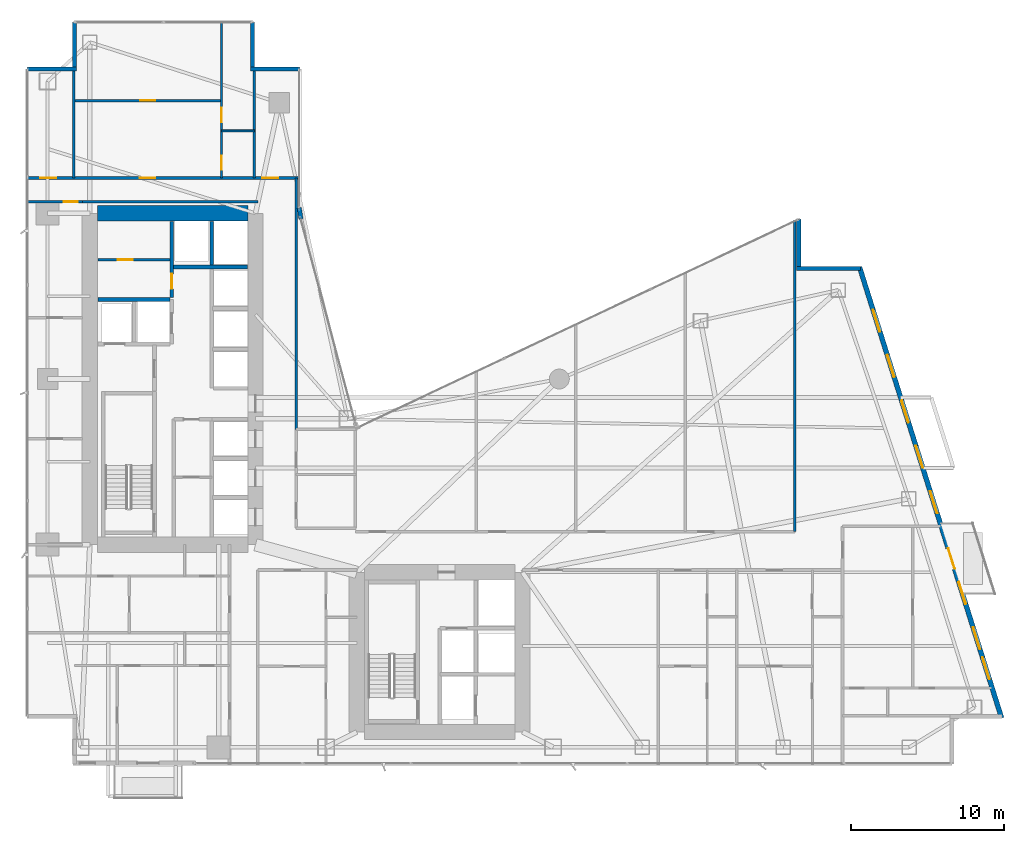
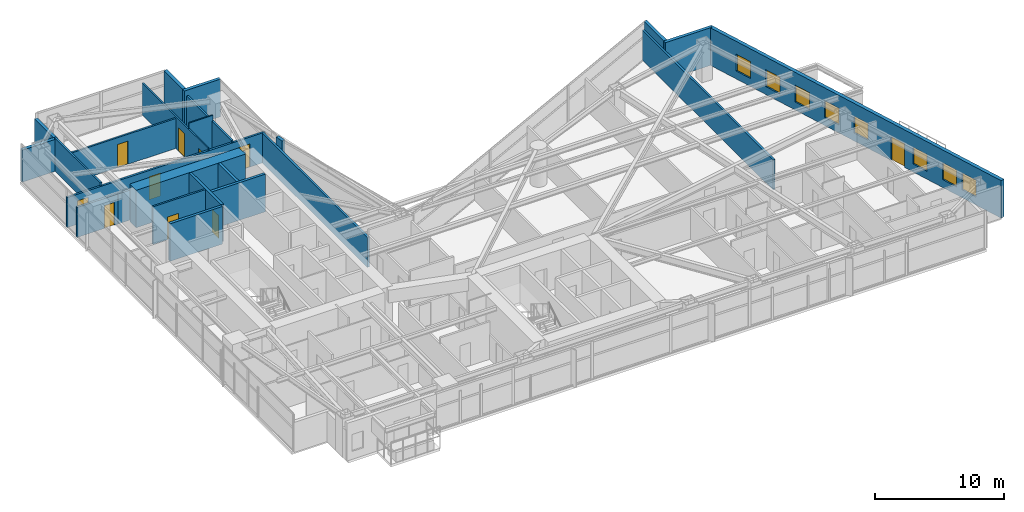
# One storey, part 25 of 29: 24 walls, 10 doors, 8 windows, 18 openings.
"""IFC4 building model written with IfcOpenShell, lengths in metres."""

import ifcopenshell
import ifcopenshell.guid

model = None  # the IFC model being written
_history = None  # IfcOwnerHistory: only IFC2X3 demands one
_inside = {}  # id of a spatial element -> (the spatial element, [elements in it])
_under = {}  # id of a project, library or spatial element -> (it, [spatial elements below it])
_declared = {}  # id of a project -> (the project, [libraries it declares])
_typed = {}  # id of a type object -> (the type object, [elements of that type])
_made_of = {}  # id of a material, layer set ... -> (it, [elements and type objects made of it])


def new_model(schema):
    """Start an empty IFC model of exactly this schema.

    Asked for "IFC4X3", IfcOpenShell would pick the latest addendum, in which some entities
    have other attributes; the version numbers below select the first issue.
    IFC2X3 requires an IfcOwnerHistory on every rooted entity: one is made here for all.
    """
    global model, _history
    if schema == "IFC4X3":
        model = ifcopenshell.file(schema_version=(4, 3, 0, 0))
    else:
        model = ifcopenshell.file(schema=schema)
    _inside.clear()
    _under.clear()
    _declared.clear()
    _typed.clear()
    _made_of.clear()
    _history = None
    if model.schema == "IFC2X3":
        org = make("IfcOrganization", Name="unknown")
        user = make(
            "IfcPersonAndOrganization",
            ThePerson=make("IfcPerson", FamilyName="unknown"),
            TheOrganization=org,
        )
        app = make(
            "IfcApplication",
            ApplicationDeveloper=org,
            Version="unknown",
            ApplicationFullName="unknown",
            ApplicationIdentifier="unknown",
        )
        _history = make(
            "IfcOwnerHistory",
            OwningUser=user,
            OwningApplication=app,
            ChangeAction="ADDED",
            CreationDate=0,
        )
    return model


def make(cls, **values):
    """One entity of the class cls with the attributes given. An attribute that is None is left unset."""
    return model.create_entity(
        cls, **{name: value for name, value in values.items() if value is not None}
    )


def rooted(cls, **values):
    """An entity with a GlobalId (a new one), such as an element, a storey or a relation."""
    return make(cls, GlobalId=ifcopenshell.guid.new(), OwnerHistory=_history, **values)


def si_unit(unit_type, name, prefix=None):
    """IfcSIUnit, for example si_unit("LENGTHUNIT", "METRE", prefix="MILLI")."""
    return make("IfcSIUnit", UnitType=unit_type, Prefix=prefix, Name=name)


def assignment(units):
    """IfcUnitAssignment: the units of a project."""
    return None if units is None else make("IfcUnitAssignment", Units=units)


def point(xyz):
    """IfcCartesianPoint."""
    return None if xyz is None else make("IfcCartesianPoint", Coordinates=xyz)


def direction(xyz):
    """IfcDirection."""
    return None if xyz is None else make("IfcDirection", DirectionRatios=xyz)


def frame(location, z_axis=None, x_axis=None):
    """IfcAxis2Placement3D, a coordinate frame: its origin and axes. An axis left out is left unset."""
    return make(
        "IfcAxis2Placement3D",
        Location=point(location),
        Axis=direction(z_axis),
        RefDirection=direction(x_axis),
    )


def frame_2d(location, x_axis=None):
    """IfcAxis2Placement2D, a coordinate frame in the plane: its origin and x axis."""
    return make(
        "IfcAxis2Placement2D", Location=point(location), RefDirection=direction(x_axis)
    )


def origin():
    """The frame at (0, 0, 0) with its axes left unset."""
    return frame((0.0, 0.0, 0.0))


def place(relative_to, where):
    """IfcLocalPlacement: puts the frame where relative to a parent placement (None: the world)."""
    return make(
        "IfcLocalPlacement", PlacementRelTo=relative_to, RelativePlacement=where
    )


def context(
    kind, dimensions, precision=None, world=None, true_north=None, identifier=None
):
    """IfcGeometricRepresentationContext, for example the 3D "Model" context."""
    return make(
        "IfcGeometricRepresentationContext",
        ContextIdentifier=identifier,
        ContextType=kind,
        CoordinateSpaceDimension=dimensions,
        Precision=precision,
        WorldCoordinateSystem=world,
        TrueNorth=true_north,
    )


def subcontext(parent, identifier, kind, view, scale=None):
    """IfcGeometricRepresentationSubContext, for example "Body" below "Model"."""
    return make(
        "IfcGeometricRepresentationSubContext",
        ContextIdentifier=identifier,
        ContextType=kind,
        ParentContext=parent,
        TargetScale=scale,
        TargetView=view,
    )


def project(units=None, contexts=None):
    """IfcProject with its units and contexts."""
    return rooted(
        "IfcProject",
        Name="project",
        RepresentationContexts=contexts,
        UnitsInContext=assignment(units),
    )


def spatial(cls, under=None, at=None, **own):
    """A site, building, storey or space (cls), placed at a placement, below another one or the project."""
    s = rooted(cls, ObjectPlacement=at, **own)
    if under is not None:
        _under.setdefault(under.id(), (under, []))[1].append(s)
    return s


def profile(cls, at=None, kind="AREA", **sizes):
    """A parametric profile (cls). Its sizes go by their IFC names, for example OverallWidth=200.0."""
    return make(cls, ProfileType=kind, Position=at, **sizes)


def rectangle(**sizes):
    """IfcRectangleProfileDef."""
    return profile("IfcRectangleProfileDef", **sizes)


def extrude(swept, where, along, depth):
    """IfcExtrudedAreaSolid: the profile swept, set in the frame where, extruded along a direction by depth."""
    return make(
        "IfcExtrudedAreaSolid",
        SweptArea=swept,
        Position=where,
        ExtrudedDirection=direction(along),
        Depth=depth,
    )


def shape(context_of_items, identifier, shape_type, items):
    """IfcShapeRepresentation: the items that make up one representation, for example the "Body"."""
    return make(
        "IfcShapeRepresentation",
        ContextOfItems=context_of_items,
        RepresentationIdentifier=identifier,
        RepresentationType=shape_type,
        Items=items,
    )


def material(Name=None, Category=None):
    """IfcMaterial."""
    return make("IfcMaterial", Name=Name, Category=Category)


def layer(
    of_material, thickness, ventilated=None, Name=None, Category=None, Priority=None
):
    """IfcMaterialLayer: one layer of a wall or slab, of a material (None: an air gap)."""
    return make(
        "IfcMaterialLayer",
        Material=of_material,
        LayerThickness=thickness,
        IsVentilated=ventilated,
        Name=Name,
        Category=Category,
        Priority=Priority,
    )


def layer_set(layers, Name=None):
    """IfcMaterialLayerSet."""
    return make("IfcMaterialLayerSet", MaterialLayers=layers, LayerSetName=Name)


def made_of(thing, what):
    """Note that an element or type object is made of a material, layer set ...; save() writes the relation."""
    if what is not None:
        _made_of.setdefault(what.id(), (what, []))[1].append(thing)
    return thing


def type_object(cls, material=None, **own):
    """A type object (cls), such as IfcWallType, which elements share."""
    return made_of(rooted(cls, **own), material)


def element(
    cls,
    number,
    at=None,
    inside=None,
    cuts=None,
    type_object=None,
    material=None,
    context=None,
    identifier="Body",
    shape_type=None,
    held_by="IfcProductDefinitionShape",
    body=None,
    shapes=None,
    **own,
):
    """One element of the class cls, such as IfcWall. Its Tag is "e" and its number.

    at: its placement. inside: the storey or other place that contains it. cuts: it is an
    opening in that element (IfcRelVoidsElement). A single representation is given by context,
    identifier, shape_type and body (its items); several are given by shapes. held_by: the class
    of the entity that holds the representations. save() writes the other relations.
    """
    e = rooted(cls, Tag="e%d" % number, ObjectPlacement=at, **own)
    if body is not None:
        shapes = [shape(context, identifier, shape_type, body)]
    if shapes is not None:
        e.Representation = make(held_by, Representations=shapes)
    if inside is not None:
        _inside.setdefault(inside.id(), (inside, []))[1].append(e)
    if cuts is not None:
        rooted(
            "IfcRelVoidsElement", RelatingBuildingElement=cuts, RelatedOpeningElement=e
        )
    if type_object is not None:
        _typed.setdefault(type_object.id(), (type_object, []))[1].append(e)
    return made_of(e, material)


def fill(opening, filler):
    """IfcRelFillsElement: the door or window that sits in an opening."""
    return rooted(
        "IfcRelFillsElement",
        RelatingOpeningElement=opening,
        RelatedBuildingElement=filler,
    )


def aggregate(whole, parts):
    """IfcRelAggregates: a whole, such as a stair, and the parts it consists of."""
    return rooted("IfcRelAggregates", RelatingObject=whole, RelatedObjects=parts)


def save(model, path):
    """Write the relations noted so far, then the file.

    IfcRelAggregates (storeys below a building ...), IfcRelContainedInSpatialStructure (elements
    in a storey), IfcRelDefinesByType, IfcRelAssociatesMaterial and IfcRelDeclares: one each for
    every whole, place, type object, material and project.
    """
    for whole, parts in _under.values():
        aggregate(whole, parts)
    for where, things in _inside.values():
        rooted(
            "IfcRelContainedInSpatialStructure",
            RelatedElements=things,
            RelatingStructure=where,
        )
    for kind, things in _typed.values():
        rooted("IfcRelDefinesByType", RelatedObjects=things, RelatingType=kind)
    for what, things in _made_of.values():
        rooted("IfcRelAssociatesMaterial", RelatedObjects=things, RelatingMaterial=what)
    for by, libraries in _declared.values():
        rooted("IfcRelDeclares", RelatingContext=by, RelatedDefinitions=libraries)
    model.write(path)


model = new_model("IFC4")

# Units and contexts
model_context = context("Model", 3, precision=1e-05, world=origin(), true_north=direction((0.0, 1.0)))
body_context = subcontext(model_context, "Body", "Model", "MODEL_VIEW")
ifc_project = project(units=[si_unit("LENGTHUNIT", "METRE"), si_unit("AREAUNIT", "SQUARE_METRE"), si_unit("VOLUMEUNIT", "CUBIC_METRE"), si_unit("PLANEANGLEUNIT", "RADIAN"), si_unit("MASSUNIT", "GRAM", prefix="KILO")], contexts=[model_context])

# Site, building, storey
site_placement = place(None, origin())
site = spatial("IfcSite", under=ifc_project, at=site_placement, CompositionType="ELEMENT")
building_placement = place(site_placement, origin())
building = spatial("IfcBuilding", under=site, at=building_placement, Name="Calvorn Quay Hotel", CompositionType="ELEMENT")
storey_placement = place(building_placement, frame((0.0, 0.0, 85.0)))
storey = spatial("IfcBuildingStorey", under=building, at=storey_placement, Name="L20", CompositionType="ELEMENT", Elevation=85.0)

# Wall
ifc_material_1 = material(Name="Concrete C60", Category="concrete")
ifc_layer_1 = layer(ifc_material_1, 1.0)
ifc_layer_set_1 = layer_set([ifc_layer_1], Name="WL-CORE-1000")
wall_type_1 = type_object("IfcWallType", Name="WL-CORE-1000", PredefinedType="SHEAR", material=ifc_layer_set_1)
wall_1_placement = place(storey_placement, frame((4.699951171875, 38.39990234375, 0.0), z_axis=(0.0, 0.0, 1.0), x_axis=(1.0, 0.0, 0.0)))
element("IfcWall", 1, at=wall_1_placement, inside=storey, type_object=wall_type_1, Name="West Core Shear Wall N (L20)", PredefinedType="SHEAR", context=body_context, shape_type="SweptSolid", body=[
    extrude(rectangle(XDim=9.800048828125, YDim=1.0, at=frame_2d((4.89990234375, 0.0))), origin(), (0.0, 0.0, 1.0), 3.56005859375),
])

# Wall, opening, door
ifc_material_2 = material(Name="Acoustic Fireboard Steel-Stud Partition", Category="steel")
ifc_layer_2 = layer(ifc_material_2, 0.179931640625)
ifc_layer_set_2 = layer_set([ifc_layer_2], Name="WL-CORR-FIRE-180")
wall_type_2 = type_object("IfcWallType", Name="WL-CORR-FIRE-180", PredefinedType="PARTITIONING", material=ifc_layer_set_2)
wall_2_placement = place(storey_placement, frame((0.080078125, 39.14990234375, 0.0), z_axis=(0.0, 0.0, 1.0), x_axis=(1.0, 0.0, 0.0)))
wall_2 = element("IfcWall", 2, at=wall_2_placement, inside=storey, type_object=wall_type_2, Name="Partition Wall L20-WL-WBAY-N-DOOR", PredefinedType="PARTITIONING", context=body_context, shape_type="SweptSolid", body=[
    extrude(rectangle(XDim=3.64990234375, YDim=0.179931640625, at=frame_2d((1.824951171875, 0.0))), origin(), (0.0, 0.0, 1.0), 2.840087890625),
])
opening_1_placement = place(wall_2_placement, frame((2.429931640625, 0.0, 0.0)))
opening_1 = element("IfcOpeningElement", 3, at=opening_1_placement, cuts=wall_2, Name="Opening D-L20-WBN", PredefinedType="OPENING", context=body_context, shape_type="SweptSolid", body=[
    extrude(rectangle(XDim=0.89990234375, YDim=2.14990234375, at=frame_2d((0.449951171875, 1.074951171875))), frame((0.0, 0.099853515625, 0.0), z_axis=(0.0, -1.0, 0.0), x_axis=(1.0, 0.0, 0.0)), (0.0, 0.0, 1.0), 0.199951171875),
])
ifc_material_3 = material(Name="Moisture-Sealed Timber En-Suite Door", Category="wood")
door_type_1 = type_object("IfcDoorType", Name="DR-ENSUITE-900", OperationType="NOTDEFINED", PredefinedType="DOOR", material=ifc_material_3)
door_1_placement = place(opening_1_placement, origin())
door_1 = element("IfcDoor", 4, at=door_1_placement, inside=storey, type_object=door_type_1, Name="West North Bay Door (L20)", OperationType="SINGLE_SWING_LEFT", OverallHeight=2.14990234375, OverallWidth=0.89990234375, PredefinedType="DOOR", context=body_context, shape_type="SweptSolid", body=[
    extrude(rectangle(XDim=0.89990234375, YDim=2.14990234375, at=frame_2d((0.449951171875, 1.074951171875))), frame((0.0, 0.02490234375, 0.0), z_axis=(0.0, -1.0, 0.0), x_axis=(1.0, 0.0, 0.0)), (0.0, 0.0, 1.0), 0.050048828125),
])
fill(opening_1, door_1)

# Wall, openings, doors
wall_3_placement = place(storey_placement, frame((0.080078125, 40.699951171875, 0.0), z_axis=(0.0, 0.0, 1.0), x_axis=(1.0, 0.0, 0.0)))
wall_3 = element("IfcWall", 5, at=wall_3_placement, inside=storey, type_object=wall_type_2, Name="Partition Wall L20-WL-CORR-NW-N", PredefinedType="PARTITIONING", context=body_context, shape_type="SweptSolid", body=[
    extrude(rectangle(XDim=17.77001953125, YDim=0.179931640625, at=frame_2d((8.885009765625, 0.0))), origin(), (0.0, 0.0, 1.0), 2.840087890625),
])
opening_2_placement = place(wall_3_placement, frame((0.89990234375, 0.0, 0.0)))
opening_2 = element("IfcOpeningElement", 6, at=opening_2_placement, cuts=wall_3, Name="Opening D-L20-NWW", PredefinedType="OPENING", context=body_context, shape_type="SweptSolid", body=[
    extrude(rectangle(XDim=1.02001953125, YDim=2.199951171875, at=frame_2d((0.510009765625, 1.10009765625))), frame((0.0, 0.099853515625, 0.0), z_axis=(0.0, -1.0, 0.0), x_axis=(1.0, 0.0, 0.0)), (0.0, 0.0, 1.0), 0.199951171875),
])
opening_3_placement = place(wall_3_placement, frame((7.3798828125, 0.0, 0.0)))
opening_3 = element("IfcOpeningElement", 7, at=opening_3_placement, cuts=wall_3, Name="Opening D-L20-U04", PredefinedType="OPENING", context=body_context, shape_type="SweptSolid", body=[
    extrude(rectangle(XDim=1.02001953125, YDim=2.199951171875, at=frame_2d((0.510009765625, 1.10009765625))), frame((0.0, 0.099853515625, 0.0), z_axis=(0.0, -1.0, 0.0), x_axis=(1.0, 0.0, 0.0)), (0.0, 0.0, 1.0), 0.199951171875),
])
opening_4_placement = place(wall_3_placement, frame((15.3701171875, 0.0, 0.0)))
opening_4 = element("IfcOpeningElement", 8, at=opening_4_placement, cuts=wall_3, Name="Opening D-L20-NWE", PredefinedType="OPENING", context=body_context, shape_type="SweptSolid", body=[
    extrude(rectangle(XDim=1.02001953125, YDim=2.199951171875, at=frame_2d((0.510009765625, 1.10009765625))), frame((0.0, 0.099853515625, 0.0), z_axis=(0.0, -1.0, 0.0), x_axis=(1.0, 0.0, 0.0)), (0.0, 0.0, 1.0), 0.199951171875),
])
ifc_material_4 = material(Name="Solid-Core Walnut Veneer Hotel Fire Door")
door_type_2 = type_object("IfcDoorType", Name="DR-GUEST-ENTRY-1020", OperationType="NOTDEFINED", PredefinedType="DOOR", material=ifc_material_4)
door_2_placement = place(opening_2_placement, origin())
door_2 = element("IfcDoor", 9, at=door_2_placement, inside=storey, type_object=door_type_2, Name="West Corner Study Door (L20)", OperationType="SINGLE_SWING_LEFT", OverallHeight=2.199951171875, OverallWidth=1.02001953125, PredefinedType="DOOR", context=body_context, shape_type="SweptSolid", body=[
    extrude(rectangle(XDim=1.02001953125, YDim=2.199951171875, at=frame_2d((0.510009765625, 1.10009765625))), frame((0.0, 0.02490234375, 0.0), z_axis=(0.0, -1.0, 0.0), x_axis=(1.0, 0.0, 0.0)), (0.0, 0.0, 1.0), 0.050048828125),
])
fill(opening_2, door_2)
door_3_placement = place(opening_3_placement, origin())
door_3 = element("IfcDoor", 10, at=door_3_placement, inside=storey, type_object=door_type_2, Name="North-West Unit Door U04 (L20)", OperationType="SINGLE_SWING_RIGHT", OverallHeight=2.199951171875, OverallWidth=1.02001953125, PredefinedType="DOOR", context=body_context, shape_type="SweptSolid", body=[
    extrude(rectangle(XDim=1.02001953125, YDim=2.199951171875, at=frame_2d((0.510009765625, 1.10009765625))), frame((0.0, 0.02490234375, 0.0), z_axis=(0.0, -1.0, 0.0), x_axis=(1.0, 0.0, 0.0)), (0.0, 0.0, 1.0), 0.050048828125),
])
fill(opening_3, door_3)
door_4_placement = place(opening_4_placement, origin())
door_4 = element("IfcDoor", 11, at=door_4_placement, inside=storey, type_object=door_type_2, Name="Inner Court Study Door (L20)", OperationType="SINGLE_SWING_RIGHT", OverallHeight=2.199951171875, OverallWidth=1.02001953125, PredefinedType="DOOR", context=body_context, shape_type="SweptSolid", body=[
    extrude(rectangle(XDim=1.02001953125, YDim=2.199951171875, at=frame_2d((0.510009765625, 1.10009765625))), frame((0.0, 0.02490234375, 0.0), z_axis=(0.0, -1.0, 0.0), x_axis=(1.0, 0.0, 0.0)), (0.0, 0.0, 1.0), 0.050048828125),
])
fill(opening_4, door_4)

# Walls
wall_4_placement = place(storey_placement, frame((17.64990234375, 24.300048828125, 0.0), z_axis=(0.0, 0.0, 1.0), x_axis=(0.0, 1.0, 0.0)))
element("IfcWall", 12, at=wall_4_placement, inside=storey, type_object=wall_type_2, Name="Partition Wall L20-WL-NW-CLOSURE-E", PredefinedType="PARTITIONING", context=body_context, shape_type="SweptSolid", body=[
    extrude(rectangle(XDim=16.39990234375, YDim=0.179931640625, at=frame_2d((8.199951171875, 0.0))), origin(), (0.0, 0.0, 1.0), 2.840087890625),
])
wall_5_placement = place(storey_placement, frame((3.679931640625, 39.14990234375, 0.0), z_axis=(0.0, 0.0, 1.0), x_axis=(1.0, 0.0, 0.0)))
element("IfcWall", 13, at=wall_5_placement, inside=storey, type_object=wall_type_2, Name="Partition Wall L20-WL-W-SPUR-S", PredefinedType="PARTITIONING", context=body_context, shape_type="SweptSolid", body=[
    extrude(rectangle(XDim=11.469970703125, YDim=0.179931640625, at=frame_2d((5.73486328125, 0.0))), origin(), (0.0, 0.0, 1.0), 2.840087890625),
])
wall_6_placement = place(storey_placement, frame((50.14990234375, 17.64990234375, 0.0), z_axis=(0.0, 0.0, 1.0), x_axis=(0.0, 1.0, 0.0)))
element("IfcWall", 14, at=wall_6_placement, inside=storey, type_object=wall_type_2, Name="Partition Wall L20-WL-NE-END-E", PredefinedType="PARTITIONING", context=body_context, shape_type="SweptSolid", body=[
    extrude(rectangle(XDim=20.31005859375, YDim=0.179931640625, at=frame_2d((10.155029296875, 0.0))), origin(), (0.0, 0.0, 1.0), 2.840087890625),
])
ifc_material_5 = material(Name="Moisture-Resistant Tile-Backed Partition")
ifc_layer_3 = layer(ifc_material_5, 0.125)
ifc_layer_set_3 = layer_set([ifc_layer_3], Name="WL-ENSUITE-125")
wall_type_3 = type_object("IfcWallType", Name="WL-ENSUITE-125", PredefinedType="PARTITIONING", material=ifc_layer_set_3)
wall_7_placement = place(storey_placement, frame((12.7900390625, 43.77001953125, 0.0), z_axis=(0.0, 0.0, 1.0), x_axis=(1.0, 0.0, 0.0)))
element("IfcWall", 15, at=wall_7_placement, inside=storey, type_object=wall_type_3, Name="Partition Wall L20-WL-U04-BDV", PredefinedType="PARTITIONING", context=body_context, shape_type="SweptSolid", body=[
    extrude(rectangle(XDim=2.1298828125, YDim=0.125, at=frame_2d((1.06494140625, 0.0))), origin(), (0.0, 0.0, 1.0), 3.56005859375),
])

# Wall, openings, doors
wall_8_placement = place(storey_placement, frame((12.7900390625, 40.699951171875, 0.0), z_axis=(0.0, 0.0, 1.0), x_axis=(0.0, 1.0, 0.0)))
wall_8 = element("IfcWall", 16, at=wall_8_placement, inside=storey, type_object=wall_type_3, Name="Partition Wall L20-WL-U04-BV", PredefinedType="PARTITIONING", context=body_context, shape_type="SweptSolid", body=[
    extrude(rectangle(XDim=10.239990234375, YDim=0.125, at=frame_2d((5.1201171875, 0.0))), origin(), (0.0, 0.0, 1.0), 3.0400390625),
])
opening_5_placement = place(wall_8_placement, frame((0.550048828125, 0.0, 0.0)))
opening_5 = element("IfcOpeningElement", 17, at=opening_5_placement, cuts=wall_8, Name="Opening D-L20-E04", PredefinedType="OPENING", context=body_context, shape_type="SweptSolid", body=[
    extrude(rectangle(XDim=0.89990234375, YDim=2.14990234375, at=frame_2d((0.449951171875, 1.074951171875))), frame((0.0, 0.072509765625, 0.0), z_axis=(0.0, -1.0, 0.0), x_axis=(1.0, 0.0, 0.0)), (0.0, 0.0, 1.0), 0.14501953125),
])
opening_6_placement = place(wall_8_placement, frame((3.6201171875, 0.0, 0.0)))
opening_6 = element("IfcOpeningElement", 18, at=opening_6_placement, cuts=wall_8, Name="Opening D-L20-S04", PredefinedType="OPENING", context=body_context, shape_type="SweptSolid", body=[
    extrude(rectangle(XDim=0.9599609375, YDim=2.199951171875, at=frame_2d((0.47998046875, 1.10009765625))), frame((0.0, 0.072509765625, 0.0), z_axis=(0.0, -1.0, 0.0), x_axis=(1.0, 0.0, 0.0)), (0.0, 0.0, 1.0), 0.14501953125),
])
door_5_placement = place(opening_5_placement, origin())
door_5 = element("IfcDoor", 19, at=door_5_placement, inside=storey, type_object=door_type_1, Name="En-Suite Door 04", OperationType="SINGLE_SWING_LEFT", OverallHeight=2.14990234375, OverallWidth=0.89990234375, PredefinedType="DOOR", context=body_context, shape_type="SweptSolid", body=[
    extrude(rectangle(XDim=0.89990234375, YDim=2.14990234375, at=frame_2d((0.449951171875, 1.074951171875))), frame((0.0, 0.02490234375, 0.0), z_axis=(0.0, -1.0, 0.0), x_axis=(1.0, 0.0, 0.0)), (0.0, 0.0, 1.0), 0.050048828125),
])
fill(opening_5, door_5)
ifc_material_6 = material(Name="Solid Timber Internal Suite Door", Category="wood")
door_type_3 = type_object("IfcDoorType", Name="DR-SUITE-INT-960", OperationType="NOTDEFINED", PredefinedType="DOOR", material=ifc_material_6)
door_6_placement = place(opening_6_placement, origin())
door_6 = element("IfcDoor", 20, at=door_6_placement, inside=storey, type_object=door_type_3, Name="Private Media Cinema Door 04", OperationType="SINGLE_SWING_RIGHT", OverallHeight=2.199951171875, OverallWidth=0.9599609375, PredefinedType="DOOR", context=body_context, shape_type="SweptSolid", body=[
    extrude(rectangle(XDim=0.9599609375, YDim=2.199951171875, at=frame_2d((0.47998046875, 1.10009765625))), frame((0.0, 0.02490234375, 0.0), z_axis=(0.0, -1.0, 0.0), x_axis=(1.0, 0.0, 0.0)), (0.0, 0.0, 1.0), 0.050048828125),
])
fill(opening_6, door_6)

# Walls
ifc_material_7 = material(Name="Concrete C40", Category="concrete")
ifc_layer_4 = layer(ifc_material_7, 0.320068359375)
ifc_layer_set_4 = layer_set([ifc_layer_4], Name="WL-EXT-SPANDREL-320")
wall_type_4 = type_object("IfcWallType", Name="WL-EXT-SPANDREL-320", PredefinedType="SOLIDWALL", material=ifc_layer_set_4)
wall_9_placement = place(storey_placement, frame((17.9619140625, 38.030029296875, 0.0), z_axis=(0.0, 0.0, 1.0), x_axis=(-0.15141125477, 0.988470855377, 0.0)))
element("IfcWall", 21, at=wall_9_placement, inside=storey, type_object=wall_type_4, Name="Inner Court Corner Pier L20-ICJ2", PredefinedType="SOLIDWALL", context=body_context, shape_type="SweptSolid", body=[
    extrude(rectangle(XDim=0.738525390625, YDim=0.280029296875, at=frame_2d((0.369140625, 0.0))), origin(), (0.0, 0.0, 1.0), 3.56005859375),
])
wall_10_placement = place(storey_placement, frame((54.43994140625, 34.800048828125, 0.0), z_axis=(0.0, 0.0, 1.0), x_axis=(-1.0, 0.0, 0.0)))
element("IfcWall", 22, at=wall_10_placement, inside=storey, type_object=wall_type_4, Name="Notched Corner Spandrel L20-NE1", PredefinedType="SOLIDWALL", context=body_context, shape_type="SweptSolid", body=[
    extrude(rectangle(XDim=4.179931640625, YDim=0.280029296875, at=frame_2d((2.08984375, 0.0))), origin(), (0.0, 0.0, 1.0), 3.56005859375),
])
wall_11_placement = place(storey_placement, frame((50.39990234375, 34.93994140625, 0.0), z_axis=(0.0, 0.0, 1.0), x_axis=(0.0, 1.0, 0.0)))
element("IfcWall", 23, at=wall_11_placement, inside=storey, type_object=wall_type_4, Name="Notched Corner Spandrel L20-NE2", PredefinedType="SOLIDWALL", context=body_context, shape_type="SweptSolid", body=[
    extrude(rectangle(XDim=3.10009765625, YDim=0.280029296875, at=frame_2d((1.550048828125, 0.0))), origin(), (0.0, 0.0, 1.0), 3.56005859375),
])
wall_12_placement = place(storey_placement, frame((17.89990234375, 47.800048828125, 0.0), z_axis=(0.0, 0.0, 1.0), x_axis=(-1.0, 0.0, 0.0)))
element("IfcWall", 24, at=wall_12_placement, inside=storey, type_object=wall_type_4, Name="Notched Corner Spandrel L20-NWE1", PredefinedType="SOLIDWALL", context=body_context, shape_type="SweptSolid", body=[
    extrude(rectangle(XDim=3.239990234375, YDim=0.280029296875, at=frame_2d((1.6201171875, 0.0))), origin(), (0.0, 0.0, 1.0), 3.56005859375),
])
wall_13_placement = place(storey_placement, frame((14.800048828125, 47.93994140625, 0.0), z_axis=(0.0, 0.0, 1.0), x_axis=(0.0, 1.0, 0.0)))
element("IfcWall", 25, at=wall_13_placement, inside=storey, type_object=wall_type_4, Name="Notched Corner Spandrel L20-NWE2", PredefinedType="SOLIDWALL", context=body_context, shape_type="SweptSolid", body=[
    extrude(rectangle(XDim=2.93994140625, YDim=0.280029296875, at=frame_2d((1.469970703125, 0.0))), origin(), (0.0, 0.0, 1.0), 3.56005859375),
])
wall_14_placement = place(storey_placement, frame((3.199951171875, 50.8798828125, 0.0), z_axis=(0.0, 0.0, 1.0), x_axis=(0.0, -1.0, 0.0)))
element("IfcWall", 26, at=wall_14_placement, inside=storey, type_object=wall_type_4, Name="Notched Corner Spandrel L20-NW1", PredefinedType="SOLIDWALL", context=body_context, shape_type="SweptSolid", body=[
    extrude(rectangle(XDim=2.93994140625, YDim=0.280029296875, at=frame_2d((1.469970703125, 0.0))), origin(), (0.0, 0.0, 1.0), 3.0400390625),
])
wall_15_placement = place(storey_placement, frame((3.340087890625, 47.800048828125, 0.0), z_axis=(0.0, 0.0, 1.0), x_axis=(-1.0, 0.0, 0.0)))
element("IfcWall", 27, at=wall_15_placement, inside=storey, type_object=wall_type_4, Name="Notched Corner Spandrel L20-NW2", PredefinedType="SOLIDWALL", context=body_context, shape_type="SweptSolid", body=[
    extrude(rectangle(XDim=3.219970703125, YDim=0.280029296875, at=frame_2d((1.60986328125, 0.0))), origin(), (0.0, 0.0, 1.0), 3.0400390625),
])

# Wall, openings, door, windows
wall_16_placement = place(storey_placement, frame((63.6298828125, 5.5048828125, 0.0), z_axis=(0.0, 0.0, 1.0), x_axis=(-0.300501856448, 0.953781229775, 0.0)))
wall_16 = element("IfcWall", 28, at=wall_16_placement, inside=storey, type_object=wall_type_4, Name="East Stepped Waterfront Exterior Wall (L20)", PredefinedType="SOLIDWALL", context=body_context, shape_type="SweptSolid", body=[
    extrude(rectangle(XDim=30.814453125, YDim=0.320068359375, at=frame_2d((15.4072265625, 0.0))), origin(), (0.0, 0.0, 1.0), 3.56005859375),
])
opening_7_placement = place(wall_16_placement, frame((10.198974609375, 0.0, 0.0)))
opening_7 = element("IfcOpeningElement", 29, at=opening_7_placement, cuts=wall_16, Name="Opening DB-L20-1", PredefinedType="OPENING", context=body_context, shape_type="SweptSolid", body=[
    extrude(rectangle(XDim=1.39990234375, YDim=2.25, at=frame_2d((0.699951171875, 1.125))), frame((0.0, 0.169921875, 0.0), z_axis=(0.0, -1.0, 0.0), x_axis=(1.0, 0.0, 0.0)), (0.0, 0.0, 1.0), 0.340087890625),
])
opening_8_placement = place(wall_16_placement, frame((2.64990234375, 0.0, 0.75)))
opening_8 = element("IfcOpeningElement", 30, at=opening_8_placement, cuts=wall_16, Name="Opening WG-L20-E1", PredefinedType="OPENING", context=body_context, shape_type="SweptSolid", body=[
    extrude(rectangle(XDim=1.5, YDim=1.60009765625, at=frame_2d((0.75, 0.800048828125))), frame((0.0, 0.169921875, 0.0), z_axis=(0.0, -1.0, 0.0), x_axis=(1.0, 0.0, 0.0)), (0.0, 0.0, 1.0), 0.340087890625),
])
opening_9_placement = place(wall_16_placement, frame((4.699951171875, 0.0, 0.75)))
opening_9 = element("IfcOpeningElement", 31, at=opening_9_placement, cuts=wall_16, Name="Opening WG-L20-E2", PredefinedType="OPENING", context=body_context, shape_type="SweptSolid", body=[
    extrude(rectangle(XDim=1.5, YDim=1.60009765625, at=frame_2d((0.75, 0.800048828125))), frame((0.0, 0.169921875, 0.0), z_axis=(0.0, -1.0, 0.0), x_axis=(1.0, 0.0, 0.0)), (0.0, 0.0, 1.0), 0.340087890625),
])
opening_10_placement = place(wall_16_placement, frame((7.800048828125, 0.0, 0.75)))
opening_10 = element("IfcOpeningElement", 32, at=opening_10_placement, cuts=wall_16, Name="Opening WG-L20-E3", PredefinedType="OPENING", context=body_context, shape_type="SweptSolid", body=[
    extrude(rectangle(XDim=1.5, YDim=1.60009765625, at=frame_2d((0.75, 0.800048828125))), frame((0.0, 0.169921875, 0.0), z_axis=(0.0, -1.0, 0.0), x_axis=(1.0, 0.0, 0.0)), (0.0, 0.0, 1.0), 0.340087890625),
])
opening_11_placement = place(wall_16_placement, frame((14.0, 0.0, 0.75)))
opening_11 = element("IfcOpeningElement", 33, at=opening_11_placement, cuts=wall_16, Name="Opening WG-L20-E4", PredefinedType="OPENING", context=body_context, shape_type="SweptSolid", body=[
    extrude(rectangle(XDim=1.5, YDim=1.60009765625, at=frame_2d((0.75, 0.800048828125))), frame((0.0, 0.169921875, 0.0), z_axis=(0.0, -1.0, 0.0), x_axis=(1.0, 0.0, 0.0)), (0.0, 0.0, 1.0), 0.340087890625),
])
opening_12_placement = place(wall_16_placement, frame((17.10009765625, 0.0, 0.75)))
opening_12 = element("IfcOpeningElement", 34, at=opening_12_placement, cuts=wall_16, Name="Opening WG-L20-E5", PredefinedType="OPENING", context=body_context, shape_type="SweptSolid", body=[
    extrude(rectangle(XDim=1.5, YDim=1.60009765625, at=frame_2d((0.75, 0.800048828125))), frame((0.0, 0.169921875, 0.0), z_axis=(0.0, -1.0, 0.0), x_axis=(1.0, 0.0, 0.0)), (0.0, 0.0, 1.0), 0.340087890625),
])
opening_13_placement = place(wall_16_placement, frame((20.199951171875, 0.0, 0.75)))
opening_13 = element("IfcOpeningElement", 35, at=opening_13_placement, cuts=wall_16, Name="Opening WG-L20-E6", PredefinedType="OPENING", context=body_context, shape_type="SweptSolid", body=[
    extrude(rectangle(XDim=1.5, YDim=1.60009765625, at=frame_2d((0.75, 0.800048828125))), frame((0.0, 0.169921875, 0.0), z_axis=(0.0, -1.0, 0.0), x_axis=(1.0, 0.0, 0.0)), (0.0, 0.0, 1.0), 0.340087890625),
])
opening_14_placement = place(wall_16_placement, frame((23.300048828125, 0.0, 0.75)))
opening_14 = element("IfcOpeningElement", 36, at=opening_14_placement, cuts=wall_16, Name="Opening WG-L20-E7", PredefinedType="OPENING", context=body_context, shape_type="SweptSolid", body=[
    extrude(rectangle(XDim=1.5, YDim=1.60009765625, at=frame_2d((0.75, 0.800048828125))), frame((0.0, 0.169921875, 0.0), z_axis=(0.0, -1.0, 0.0), x_axis=(1.0, 0.0, 0.0)), (0.0, 0.0, 1.0), 0.340087890625),
])
opening_15_placement = place(wall_16_placement, frame((26.39990234375, 0.0, 0.75)))
opening_15 = element("IfcOpeningElement", 37, at=opening_15_placement, cuts=wall_16, Name="Opening WG-L20-E8", PredefinedType="OPENING", context=body_context, shape_type="SweptSolid", body=[
    extrude(rectangle(XDim=1.5, YDim=1.60009765625, at=frame_2d((0.75, 0.800048828125))), frame((0.0, 0.169921875, 0.0), z_axis=(0.0, -1.0, 0.0), x_axis=(1.0, 0.0, 0.0)), (0.0, 0.0, 1.0), 0.340087890625),
])
ifc_material_8 = material(Name="Typhoon-Rated Low-E Aluminium Terrace Door", Category="aluminium")
door_type_4 = type_object("IfcDoorType", Name="DR-BALCONY-GLZ-1400", OperationType="NOTDEFINED", PredefinedType="DOOR", material=ifc_material_8)
door_7_placement = place(opening_7_placement, origin())
door_7 = element("IfcDoor", 38, at=door_7_placement, inside=storey, type_object=door_type_4, Name="Tree Balcony Terrace Door L20-BALC-E", OperationType="SINGLE_SWING_LEFT", OverallHeight=2.25, OverallWidth=1.39990234375, PredefinedType="DOOR", context=body_context, shape_type="SweptSolid", body=[
    extrude(rectangle(XDim=1.39990234375, YDim=2.25, at=frame_2d((0.699951171875, 1.125))), frame((0.0, 0.02490234375, 0.0), z_axis=(0.0, -1.0, 0.0), x_axis=(1.0, 0.0, 0.0)), (0.0, 0.0, 1.0), 0.050048828125),
])
fill(opening_7, door_7)
ifc_material_9 = material(Name="Self-Closing Class B Fire Window")
window_type = type_object("IfcWindowType", Name="WIN-REFUGE-1500x1600", PartitioningType="SINGLE_PANEL", PredefinedType="WINDOW", material=ifc_material_9)
window_1_placement = place(opening_8_placement, origin())
window_1 = element("IfcWindow", 39, at=window_1_placement, inside=storey, type_object=window_type, Name="East Facade Window L20-E1", OverallHeight=1.60009765625, OverallWidth=1.5, PartitioningType="SINGLE_PANEL", PredefinedType="WINDOW", context=body_context, shape_type="SweptSolid", body=[
    extrude(rectangle(XDim=1.5, YDim=1.60009765625, at=frame_2d((0.75, 0.800048828125))), frame((0.0, 0.030029296875, 0.0), z_axis=(0.0, -1.0, 0.0), x_axis=(1.0, 0.0, 0.0)), (0.0, 0.0, 1.0), 0.06005859375),
])
fill(opening_8, window_1)
window_2_placement = place(opening_9_placement, origin())
window_2 = element("IfcWindow", 40, at=window_2_placement, inside=storey, type_object=window_type, Name="East Facade Window L20-E2", OverallHeight=1.60009765625, OverallWidth=1.5, PartitioningType="SINGLE_PANEL", PredefinedType="WINDOW", context=body_context, shape_type="SweptSolid", body=[
    extrude(rectangle(XDim=1.5, YDim=1.60009765625, at=frame_2d((0.75, 0.800048828125))), frame((0.0, 0.030029296875, 0.0), z_axis=(0.0, -1.0, 0.0), x_axis=(1.0, 0.0, 0.0)), (0.0, 0.0, 1.0), 0.06005859375),
])
fill(opening_9, window_2)
window_3_placement = place(opening_10_placement, origin())
window_3 = element("IfcWindow", 41, at=window_3_placement, inside=storey, type_object=window_type, Name="East Facade Window L20-E3", OverallHeight=1.60009765625, OverallWidth=1.5, PartitioningType="SINGLE_PANEL", PredefinedType="WINDOW", context=body_context, shape_type="SweptSolid", body=[
    extrude(rectangle(XDim=1.5, YDim=1.60009765625, at=frame_2d((0.75, 0.800048828125))), frame((0.0, 0.030029296875, 0.0), z_axis=(0.0, -1.0, 0.0), x_axis=(1.0, 0.0, 0.0)), (0.0, 0.0, 1.0), 0.06005859375),
])
fill(opening_10, window_3)
window_4_placement = place(opening_11_placement, origin())
window_4 = element("IfcWindow", 42, at=window_4_placement, inside=storey, type_object=window_type, Name="East Facade Window L20-E4", OverallHeight=1.60009765625, OverallWidth=1.5, PartitioningType="SINGLE_PANEL", PredefinedType="WINDOW", context=body_context, shape_type="SweptSolid", body=[
    extrude(rectangle(XDim=1.5, YDim=1.60009765625, at=frame_2d((0.75, 0.800048828125))), frame((0.0, 0.030029296875, 0.0), z_axis=(0.0, -1.0, 0.0), x_axis=(1.0, 0.0, 0.0)), (0.0, 0.0, 1.0), 0.06005859375),
])
fill(opening_11, window_4)
window_5_placement = place(opening_12_placement, origin())
window_5 = element("IfcWindow", 43, at=window_5_placement, inside=storey, type_object=window_type, Name="East Facade Window L20-E5", OverallHeight=1.60009765625, OverallWidth=1.5, PartitioningType="SINGLE_PANEL", PredefinedType="WINDOW", context=body_context, shape_type="SweptSolid", body=[
    extrude(rectangle(XDim=1.5, YDim=1.60009765625, at=frame_2d((0.75, 0.800048828125))), frame((0.0, 0.030029296875, 0.0), z_axis=(0.0, -1.0, 0.0), x_axis=(1.0, 0.0, 0.0)), (0.0, 0.0, 1.0), 0.06005859375),
])
fill(opening_12, window_5)
window_6_placement = place(opening_13_placement, origin())
window_6 = element("IfcWindow", 44, at=window_6_placement, inside=storey, type_object=window_type, Name="East Facade Window L20-E6", OverallHeight=1.60009765625, OverallWidth=1.5, PartitioningType="SINGLE_PANEL", PredefinedType="WINDOW", context=body_context, shape_type="SweptSolid", body=[
    extrude(rectangle(XDim=1.5, YDim=1.60009765625, at=frame_2d((0.75, 0.800048828125))), frame((0.0, 0.030029296875, 0.0), z_axis=(0.0, -1.0, 0.0), x_axis=(1.0, 0.0, 0.0)), (0.0, 0.0, 1.0), 0.06005859375),
])
fill(opening_13, window_6)
window_7_placement = place(opening_14_placement, origin())
window_7 = element("IfcWindow", 45, at=window_7_placement, inside=storey, type_object=window_type, Name="East Facade Window L20-E7", OverallHeight=1.60009765625, OverallWidth=1.5, PartitioningType="SINGLE_PANEL", PredefinedType="WINDOW", context=body_context, shape_type="SweptSolid", body=[
    extrude(rectangle(XDim=1.5, YDim=1.60009765625, at=frame_2d((0.75, 0.800048828125))), frame((0.0, 0.030029296875, 0.0), z_axis=(0.0, -1.0, 0.0), x_axis=(1.0, 0.0, 0.0)), (0.0, 0.0, 1.0), 0.06005859375),
])
fill(opening_14, window_7)
window_8_placement = place(opening_15_placement, origin())
window_8 = element("IfcWindow", 46, at=window_8_placement, inside=storey, type_object=window_type, Name="East Facade Window L20-E8", OverallHeight=1.60009765625, OverallWidth=1.5, PartitioningType="SINGLE_PANEL", PredefinedType="WINDOW", context=body_context, shape_type="SweptSolid", body=[
    extrude(rectangle(XDim=1.5, YDim=1.60009765625, at=frame_2d((0.75, 0.800048828125))), frame((0.0, 0.030029296875, 0.0), z_axis=(0.0, -1.0, 0.0), x_axis=(1.0, 0.0, 0.0)), (0.0, 0.0, 1.0), 0.06005859375),
])
fill(opening_15, window_8)

# Wall, opening, door
ifc_material_10 = material(Name="Double-Stud Acoustic Gypsum Partition")
ifc_layer_5 = layer(ifc_material_10, 0.159912109375)
ifc_layer_set_5 = layer_set([ifc_layer_5], Name="WL-INTERSUITE-160")
wall_type_5 = type_object("IfcWallType", Name="WL-INTERSUITE-160", PredefinedType="PARTITIONING", material=ifc_layer_set_5)
wall_17_placement = place(storey_placement, frame((4.719970703125, 35.3798828125, 0.0), z_axis=(0.0, 0.0, 1.0), x_axis=(1.0, 0.0, 0.0)))
wall_17 = element("IfcWall", 47, at=wall_17_placement, inside=storey, type_object=wall_type_5, Name="Partition Wall L20-WL-CWW-K-MID", PredefinedType="PARTITIONING", context=body_context, shape_type="SweptSolid", body=[
    extrude(rectangle(XDim=4.699951171875, YDim=0.159912109375, at=frame_2d((2.35009765625, 0.0))), origin(), (0.0, 0.0, 1.0), 3.56005859375),
])
opening_16_placement = place(wall_17_placement, frame((1.300048828125, 0.0, 0.0)))
opening_16 = element("IfcOpeningElement", 48, at=opening_16_placement, cuts=wall_17, Name="Opening D-L20-CK2", PredefinedType="OPENING", context=body_context, shape_type="SweptSolid", body=[
    extrude(rectangle(XDim=0.97998046875, YDim=2.14990234375, at=frame_2d((0.489990234375, 1.074951171875))), frame((0.0, 0.08984375, 0.0), z_axis=(0.0, -1.0, 0.0), x_axis=(1.0, 0.0, 0.0)), (0.0, 0.0, 1.0), 0.179931640625),
])
ifc_material_11 = material(Name="Painted Steel Housekeeping/Riser Fire Door", Category="steel")
door_type_5 = type_object("IfcDoorType", Name="DR-SERVICE-980", OperationType="NOTDEFINED", PredefinedType="DOOR", material=ifc_material_11)
door_8_placement = place(opening_16_placement, origin())
door_8 = element("IfcDoor", 49, at=door_8_placement, inside=storey, type_object=door_type_5, Name="Electrical Riser Door (L20)", OperationType="SINGLE_SWING_RIGHT", OverallHeight=2.14990234375, OverallWidth=0.97998046875, PredefinedType="DOOR", context=body_context, shape_type="SweptSolid", body=[
    extrude(rectangle(XDim=0.97998046875, YDim=2.14990234375, at=frame_2d((0.489990234375, 1.074951171875))), frame((0.0, 0.02490234375, 0.0), z_axis=(0.0, -1.0, 0.0), x_axis=(1.0, 0.0, 0.0)), (0.0, 0.0, 1.0), 0.050048828125),
])
fill(opening_16, door_8)

# Walls
wall_18_placement = place(storey_placement, frame((3.14990234375, 40.699951171875, 0.0), z_axis=(0.0, 0.0, 1.0), x_axis=(0.0, 1.0, 0.0)))
element("IfcWall", 50, at=wall_18_placement, inside=storey, type_object=wall_type_5, Name="Partition Wall L20-WL-NW-DIV-W0", PredefinedType="PARTITIONING", context=body_context, shape_type="SweptSolid", body=[
    extrude(rectangle(XDim=7.10009765625, YDim=0.159912109375, at=frame_2d((3.550048828125, 0.0))), origin(), (0.0, 0.0, 1.0), 3.139892578125),
])
wall_19_placement = place(storey_placement, frame((14.919921875, 40.699951171875, 0.0), z_axis=(0.0, 0.0, 1.0), x_axis=(0.0, 1.0, 0.0)))
element("IfcWall", 51, at=wall_19_placement, inside=storey, type_object=wall_type_5, Name="Partition Wall L20-WL-NW-DIV-E0", PredefinedType="PARTITIONING", context=body_context, shape_type="SweptSolid", body=[
    extrude(rectangle(XDim=7.10009765625, YDim=0.159912109375, at=frame_2d((3.550048828125, 0.0))), origin(), (0.0, 0.0, 1.0), 3.0400390625),
])

# Wall, opening, door
wall_20_placement = place(storey_placement, frame((3.14990234375, 45.75, 0.0), z_axis=(0.0, 0.0, 1.0), x_axis=(1.0, 0.0, 0.0)))
wall_20 = element("IfcWall", 52, at=wall_20_placement, inside=storey, type_object=wall_type_5, Name="Partition Wall L20-WL-U04-MSP", PredefinedType="PARTITIONING", context=body_context, shape_type="SweptSolid", body=[
    extrude(rectangle(XDim=9.64013671875, YDim=0.159912109375, at=frame_2d((4.820068359375, 0.0))), origin(), (0.0, 0.0, 1.0), 2.840087890625),
])
opening_17_placement = place(wall_20_placement, frame((4.340087890625, 0.0, 0.0)))
opening_17 = element("IfcOpeningElement", 53, at=opening_17_placement, cuts=wall_20, Name="Opening D-L20-M04", PredefinedType="OPENING", context=body_context, shape_type="SweptSolid", body=[
    extrude(rectangle(XDim=0.9599609375, YDim=2.199951171875, at=frame_2d((0.47998046875, 1.10009765625))), frame((0.0, 0.08984375, 0.0), z_axis=(0.0, -1.0, 0.0), x_axis=(1.0, 0.0, 0.0)), (0.0, 0.0, 1.0), 0.179931640625),
])
door_9_placement = place(opening_17_placement, origin())
door_9 = element("IfcDoor", 54, at=door_9_placement, inside=storey, type_object=door_type_3, Name="Suite Bedroom Door 04", OperationType="SINGLE_SWING_LEFT", OverallHeight=2.199951171875, OverallWidth=0.9599609375, PredefinedType="DOOR", context=body_context, shape_type="SweptSolid", body=[
    extrude(rectangle(XDim=0.9599609375, YDim=2.199951171875, at=frame_2d((0.47998046875, 1.10009765625))), frame((0.0, 0.02490234375, 0.0), z_axis=(0.0, -1.0, 0.0), x_axis=(1.0, 0.0, 0.0)), (0.0, 0.0, 1.0), 0.050048828125),
])
fill(opening_17, door_9)

ifc_material_12 = material(Name="Autoclaved Aerated Masonry Block", Category="masonry")
ifc_layer_6 = layer(ifc_material_12, 0.219970703125)
ifc_layer_set_6 = layer_set([ifc_layer_6], Name="WL-LOBBY-FIRE-220")
wall_type_6 = type_object("IfcWallType", Name="WL-LOBBY-FIRE-220", PredefinedType="SOLIDWALL", material=ifc_layer_set_6)
wall_21_placement = place(storey_placement, frame((9.5400390625, 32.919921875, 0.0), z_axis=(0.0, 0.0, 1.0), x_axis=(0.0, 1.0, 0.0)))
wall_21 = element("IfcWall", 55, at=wall_21_placement, inside=storey, type_object=wall_type_6, Name="Partition Wall L20-WL-CWW-K-E", PredefinedType="SOLIDWALL", context=body_context, shape_type="SweptSolid", body=[
    extrude(rectangle(XDim=4.9599609375, YDim=0.219970703125, at=frame_2d((2.47998046875, 0.0))), origin(), (0.0, 0.0, 1.0), 3.56005859375),
])
opening_18_placement = place(wall_21_placement, frame((0.550048828125, 0.0, 0.0)))
opening_18 = element("IfcOpeningElement", 56, at=opening_18_placement, cuts=wall_21, Name="Opening D-L20-CK1", PredefinedType="OPENING", context=body_context, shape_type="SweptSolid", body=[
    extrude(rectangle(XDim=0.97998046875, YDim=2.14990234375, at=frame_2d((0.489990234375, 1.074951171875))), frame((0.0, 0.119873046875, 0.0), z_axis=(0.0, -1.0, 0.0), x_axis=(1.0, 0.0, 0.0)), (0.0, 0.0, 1.0), 0.239990234375),
])
door_10_placement = place(opening_18_placement, origin())
door_10 = element("IfcDoor", 57, at=door_10_placement, inside=storey, type_object=door_type_5, Name="Core Housekeeping Door (L20)", OperationType="SINGLE_SWING_LEFT", OverallHeight=2.14990234375, OverallWidth=0.97998046875, PredefinedType="DOOR", context=body_context, shape_type="SweptSolid", body=[
    extrude(rectangle(XDim=0.97998046875, YDim=2.14990234375, at=frame_2d((0.489990234375, 1.074951171875))), frame((0.0, 0.02490234375, 0.0), z_axis=(0.0, -1.0, 0.0), x_axis=(1.0, 0.0, 0.0)), (0.0, 0.0, 1.0), 0.050048828125),
])
fill(opening_18, door_10)

# Walls
ifc_material_13 = material(Name="Concrete C40", Category="concrete")
ifc_layer_7 = layer(ifc_material_13, 0.239990234375)
ifc_layer_set_7 = layer_set([ifc_layer_7], Name="WL-SHAFT-240")
wall_type_7 = type_object("IfcWallType", Name="WL-SHAFT-240", PredefinedType="SOLIDWALL", material=ifc_layer_set_7)
wall_22_placement = place(storey_placement, frame((4.719970703125, 32.780029296875, 0.0), z_axis=(0.0, 0.0, 1.0), x_axis=(1.0, 0.0, 0.0)))
element("IfcWall", 58, at=wall_22_placement, inside=storey, type_object=wall_type_7, Name="Partition Wall L20-WL-CWW-SLW-N", PredefinedType="SOLIDWALL", context=body_context, shape_type="SweptSolid", body=[
    extrude(rectangle(XDim=4.699951171875, YDim=0.239990234375, at=frame_2d((2.35009765625, 0.0))), origin(), (0.0, 0.0, 1.0), 3.56005859375),
])
wall_23_placement = place(storey_placement, frame((9.659912109375, 34.89990234375, 0.0), z_axis=(0.0, 0.0, 1.0), x_axis=(1.0, 0.0, 0.0)))
element("IfcWall", 59, at=wall_23_placement, inside=storey, type_object=wall_type_7, Name="Partition Wall L20-WL-CWW-PLH-S", PredefinedType="SOLIDWALL", context=body_context, shape_type="SweptSolid", body=[
    extrude(rectangle(XDim=4.820068359375, YDim=0.239990234375, at=frame_2d((2.41015625, 0.0))), origin(), (0.0, 0.0, 1.0), 3.56005859375),
])
wall_24_placement = place(storey_placement, frame((12.14990234375, 35.02001953125, 0.0), z_axis=(0.0, 0.0, 1.0), x_axis=(0.0, 1.0, 0.0)))
element("IfcWall", 60, at=wall_24_placement, inside=storey, type_object=wall_type_7, Name="Partition Wall L20-WL-CWW-PLH-DIV", PredefinedType="SOLIDWALL", context=body_context, shape_type="SweptSolid", body=[
    extrude(rectangle(XDim=2.85986328125, YDim=0.239990234375, at=frame_2d((1.429931640625, 0.0))), origin(), (0.0, 0.0, 1.0), 3.56005859375),
])

save(model, "model.ifc")
